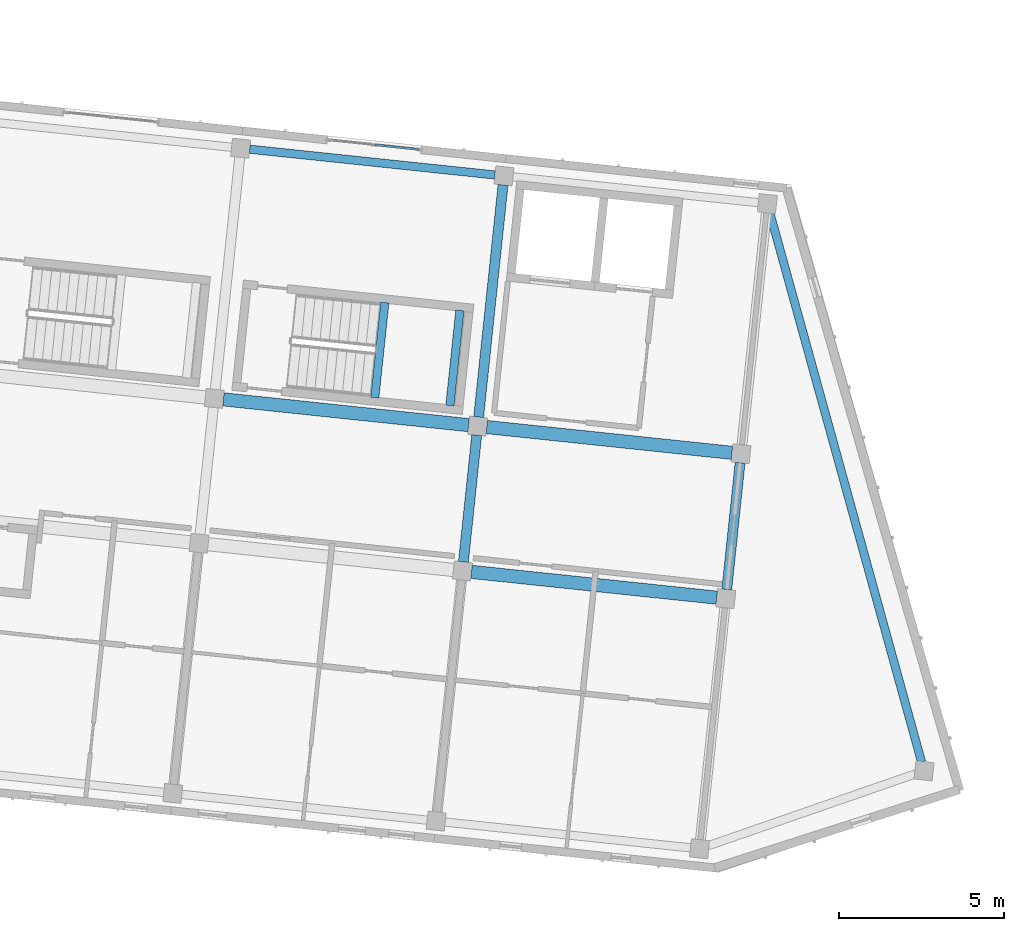
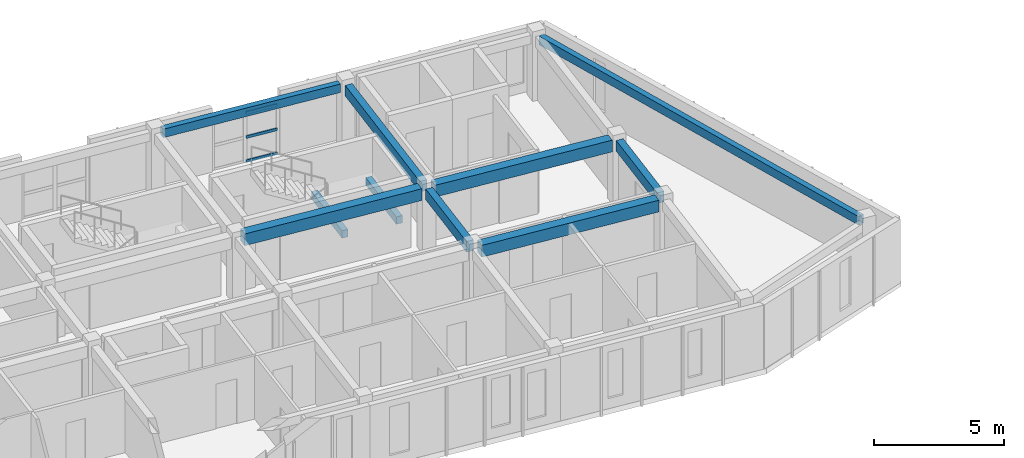
# One storey, part 61 of 127: 10 beams, 3 members, 1 element without a shape of its own.
"""IFC4 building model written with IfcOpenShell, lengths in metres."""

from ifc_helpers import new_model, si_unit, direction, frame, origin, origin_2d, place, context, subcontext, project, spatial, rectangle, hollow_rectangle, extrude, material, material_profile, profile_set, type_object, element, aggregate, save


model = new_model("IFC4")

# Units and contexts
model_context = context("Model", 3, precision=1e-05, world=origin(), true_north=direction((0.0, 1.0)))
body_context = subcontext(model_context, "Body", "Model", "MODEL_VIEW")
ifc_project = project(units=[si_unit("LENGTHUNIT", "METRE"), si_unit("AREAUNIT", "SQUARE_METRE"), si_unit("VOLUMEUNIT", "CUBIC_METRE"), si_unit("PLANEANGLEUNIT", "RADIAN"), si_unit("MASSUNIT", "GRAM", prefix="KILO")], contexts=[model_context])

# Site, building, storey
site_placement = place(None, origin())
site = spatial("IfcSite", under=ifc_project, at=site_placement, CompositionType="ELEMENT")
building_placement = place(site_placement, origin())
building = spatial("IfcBuilding", under=site, at=building_placement, Name="Kestramere Prow Commons", CompositionType="ELEMENT")
storey_placement = place(building_placement, frame((0.0, 0.0, 8.39990234375)))
storey = spatial("IfcBuildingStorey", under=building, at=storey_placement, Name="L02", CompositionType="ELEMENT", Elevation=8.39990234375)

# Beams
ifc_material_1 = material(Name="Precast concrete C40/50", Category="concrete")
ifc_material_profile_1 = material_profile(ifc_material_1, rectangle(XDim=0.39990234375, YDim=0.550048828125, at=origin_2d()), Name="PC-BM 400x550")
ifc_profile_set_1 = profile_set([ifc_material_profile_1], Name="Precast concrete C40/50")
beam_type_1 = type_object("IfcBeamType", Name="BM-B1 PC-BM 400x550", PredefinedType="BEAM", material=ifc_profile_set_1)
for number, where, z_axis, x_axis, name in (
    (1, (150.848876953125, 98.1484375, 2.72509765625), (0.994520884665, -0.104538079019, 0.0), (0.104538079019, 0.994520884665, 0.0), "Block B L02 Longitudinal Beam 2-6"),
    (2, (143.3525390625, 103.360595703125, 2.72509765625), (0.994520884665, -0.104538079019, 0.0), (0.104538079019, 0.994520884665, 0.0), "Block B L02 Longitudinal Beam 3-5"),
):
    element("IfcBeam", number, at=place(storey_placement, frame(where, z_axis=z_axis, x_axis=x_axis)), inside=storey, type_object=beam_type_1, Name=name, PredefinedType="BEAM", context=body_context, shape_type="SweptSolid", body=[
        extrude(rectangle(XDim=0.39990234375, YDim=0.550048828125, at=origin_2d()), origin(), (0.0, 0.0, 1.0), 7.449951171875),
    ])
beam_1_placement = place(storey_placement, frame((151.30859375, 102.5244140625, 2.72509765625), z_axis=(0.994521242771, -0.104534672129, 0.0), x_axis=(0.104534672129, 0.994521242771, 0.0)))
element("IfcBeam", 3, at=beam_1_placement, inside=storey, type_object=beam_type_1, Name="Block B L02 Longitudinal Beam 3-6", PredefinedType="BEAM", context=body_context, shape_type="SweptSolid", body=[
    extrude(rectangle(XDim=0.39990234375, YDim=0.550048828125, at=origin_2d()), origin(), (0.0, 0.0, 1.0), 7.4501953125),
])
ifc_material_2 = material(Name="Concrete C40/50", Category="concrete")
ifc_material_profile_2 = material_profile(ifc_material_2, rectangle(XDim=0.25, YDim=0.35009765625, at=origin_2d()), Name="PC-BM 250x350")
ifc_profile_set_2 = profile_set([ifc_material_profile_2], Name="Concrete C40/50")
beam_type_2 = type_object("IfcBeamType", Name="BM-ST-TRIM", PredefinedType="BEAM", material=ifc_profile_set_2)
for number, where, z_axis, x_axis, name in (
    (4, (147.927978515625, 103.41259765625, 1.25), (0.104579248847, 0.994516556278, 0.0), (-0.994516556278, 0.104579248847, 0.0), "ST-B2 L02 Landing Trimmer Beam 1A"),
    (5, (150.195556640625, 103.17431640625, 1.25), (0.104495697268, 0.994525338668, 0.0), (-0.994525338668, 0.104495697268, 0.0), "ST-B2 L02 Landing Trimmer Beam 1B"),
):
    element("IfcBeam", number, at=place(storey_placement, frame(where, z_axis=z_axis, x_axis=x_axis)), inside=storey, type_object=beam_type_2, Name=name, PredefinedType="BEAM", context=body_context, shape_type="SweptSolid", body=[
        extrude(rectangle(XDim=0.25, YDim=0.35009765625, at=origin_2d()), origin(), (0.0, 0.0, 1.0), 2.89013671875),
    ])
ifc_material_profile_3 = material_profile(ifc_material_1, rectangle(XDim=0.300048828125, YDim=0.5, at=origin_2d()), Name="PC-BM 300x500")
ifc_profile_set_3 = profile_set([ifc_material_profile_3], Name="Precast concrete C40/50")
beam_type_3 = type_object("IfcBeamType", Name="BM-TIE-01 PC-BM 300x500", PredefinedType="BEAM", material=ifc_profile_set_3)
beam_2_placement = place(storey_placement, frame((150.60400390625, 98.45068359375, 2.75), z_axis=(0.104569249198, 0.994517607749, 0.0), x_axis=(-0.994517607749, 0.104569249198, 0.0)))
element("IfcBeam", 6, at=beam_2_placement, inside=storey, type_object=beam_type_3, Name="Block B L02 Transverse Beam 6-2", PredefinedType="BEAM", context=body_context, shape_type="SweptSolid", body=[
    extrude(rectangle(XDim=0.300048828125, YDim=0.5, at=origin_2d()), origin(), (0.0, 0.0, 1.0), 3.849853515625),
])
beam_3_placement = place(storey_placement, frame((151.06396484375, 102.82666015625, 2.75), z_axis=(0.104515329964, 0.994523275646, 0.0), x_axis=(-0.994523275646, 0.104515329964, 0.0)))
element("IfcBeam", 7, at=beam_3_placement, inside=storey, type_object=beam_type_3, Name="Block B L02 Transverse Beam 6-3", PredefinedType="BEAM", context=body_context, shape_type="SweptSolid", body=[
    extrude(rectangle(XDim=0.300048828125, YDim=0.5, at=origin_2d()), origin(), (0.0, 0.0, 1.0), 7.0498046875),
])
beam_4_placement = place(storey_placement, frame((158.560302734375, 97.614501953125, 2.75), z_axis=(0.104506528251, 0.994524200587, 0.0), x_axis=(-0.994524200587, 0.104506528251, 0.0)))
element("IfcBeam", 8, at=beam_4_placement, inside=storey, type_object=beam_type_3, Name="Block B L02 Transverse Beam 7-2", PredefinedType="BEAM", context=body_context, shape_type="SweptSolid", body=[
    extrude(rectangle(XDim=0.300048828125, YDim=0.5, at=origin_2d()), origin(), (0.0, 0.0, 1.0), 3.849853515625),
])

# Curtain wall, members
ifc_material_3 = material(Name="Anodised Aluminium and Low-E Glass", Category="aluminium")
curtain_wall_type = type_object("IfcCurtainWallType", Name="CW-03 Glazed Curtain Wall 2830x2320", PredefinedType="USERDEFINED", material=ifc_material_3)
curtain_wall_placement = place(storey_placement, origin())
curtain_wall = element("IfcCurtainWall", 9, at=curtain_wall_placement, inside=storey, type_object=curtain_wall_type, Name="Block B L02 Stairwell Vertical Glazing 5", ObjectType="GLAZED CURTAIN WALL", PredefinedType="USERDEFINED")
ifc_material_4 = material(Name="Anodised Aluminium 6063-T6", Category="aluminium")
ifc_material_profile_4 = material_profile(ifc_material_4, hollow_rectangle(XDim=0.06494140625, YDim=0.1298828125, WallThickness=0.00390625, at=origin_2d()), Name="ALU-TRN 65x130")
ifc_profile_set_4 = profile_set([ifc_material_profile_4], Name="Anodised Aluminium 6063-T6")
member_type = type_object("IfcMemberType", Name="CW-TRN-65x130", PredefinedType="USERDEFINED", material=ifc_profile_set_4)
member_1_placement = place(storey_placement, frame((147.938720703125, 111.04833984375, 0.03271484375), z_axis=(0.994523714271, -0.104511156111, 0.0), x_axis=(0.104511156111, 0.994523714271, 0.0)))
member_1 = element("IfcMember", 10, at=member_1_placement, type_object=member_type, Name="CW-03 transom 2.1", ObjectType="TRANSOM", PredefinedType="USERDEFINED", context=body_context, shape_type="SweptSolid", body=[
    extrude(hollow_rectangle(XDim=0.06494140625, YDim=0.1298828125, WallThickness=0.00390625, at=origin_2d()), origin(), (0.0, 0.0, 1.0), 1.317626953125),
])
member_2_placement = place(storey_placement, frame((147.938720703125, 111.04833984375, 1.16015625), z_axis=(0.994523714271, -0.104511156111, 0.0), x_axis=(0.104511156111, 0.994523714271, 0.0)))
member_2 = element("IfcMember", 11, at=member_2_placement, type_object=member_type, Name="CW-03 transom 2.2", ObjectType="TRANSOM", PredefinedType="USERDEFINED", context=body_context, shape_type="SweptSolid", body=[
    extrude(hollow_rectangle(XDim=0.06494140625, YDim=0.1298828125, WallThickness=0.00390625, at=origin_2d()), origin(), (0.0, 0.0, 1.0), 1.317626953125),
])
member_3_placement = place(storey_placement, frame((147.938720703125, 111.04833984375, 2.28759765625), z_axis=(0.994523714271, -0.104511156111, 0.0), x_axis=(0.104511156111, 0.994523714271, 0.0)))
member_3 = element("IfcMember", 12, at=member_3_placement, type_object=member_type, Name="CW-03 transom 2.3", ObjectType="TRANSOM", PredefinedType="USERDEFINED", context=body_context, shape_type="SweptSolid", body=[
    extrude(hollow_rectangle(XDim=0.06494140625, YDim=0.1298828125, WallThickness=0.00390625, at=origin_2d()), origin(), (0.0, 0.0, 1.0), 1.317626953125),
])
aggregate(curtain_wall, [member_1, member_2, member_3])

# Beams
ifc_material_profile_5 = material_profile(ifc_material_1, rectangle(XDim=0.25, YDim=0.39990234375, at=origin_2d()), Name="PC-SP 250x400")
ifc_profile_set_5 = profile_set([ifc_material_profile_5], Name="Precast concrete C40/50")
beam_type_4 = type_object("IfcBeamType", Name="SP-EXT-01 PC-SP 250x400", PredefinedType="SPANDREL", material=ifc_profile_set_5)
beam_5_placement = place(storey_placement, frame((159.8603515625, 109.00537109375, 2.800048828125), z_axis=(0.266276973363, -0.963896557446, 0.0), x_axis=(0.963896557446, 0.266276973363, 0.0)))
element("IfcBeam", 13, at=beam_5_placement, inside=storey, type_object=beam_type_4, Name="Block B L02 Prow Facet Beam N", PredefinedType="SPANDREL", context=body_context, shape_type="SweptSolid", body=[
    extrude(rectangle(XDim=0.25, YDim=0.39990234375, at=origin_2d()), origin(), (0.0, 0.0, 1.0), 17.220703125),
])
beam_6_placement = place(storey_placement, frame((144.14697265625, 110.9189453125, 2.800048828125), z_axis=(0.994520884665, -0.104538079019, 0.0), x_axis=(0.104538079019, 0.994520884665, 0.0)))
element("IfcBeam", 14, at=beam_6_placement, inside=storey, type_object=beam_type_4, Name="Block B L02 Longitudinal Beam 4-5", PredefinedType="SPANDREL", context=body_context, shape_type="SweptSolid", body=[
    extrude(rectangle(XDim=0.25, YDim=0.39990234375, at=origin_2d()), origin(), (0.0, 0.0, 1.0), 7.449951171875),
])

save(model, "model.ifc")
